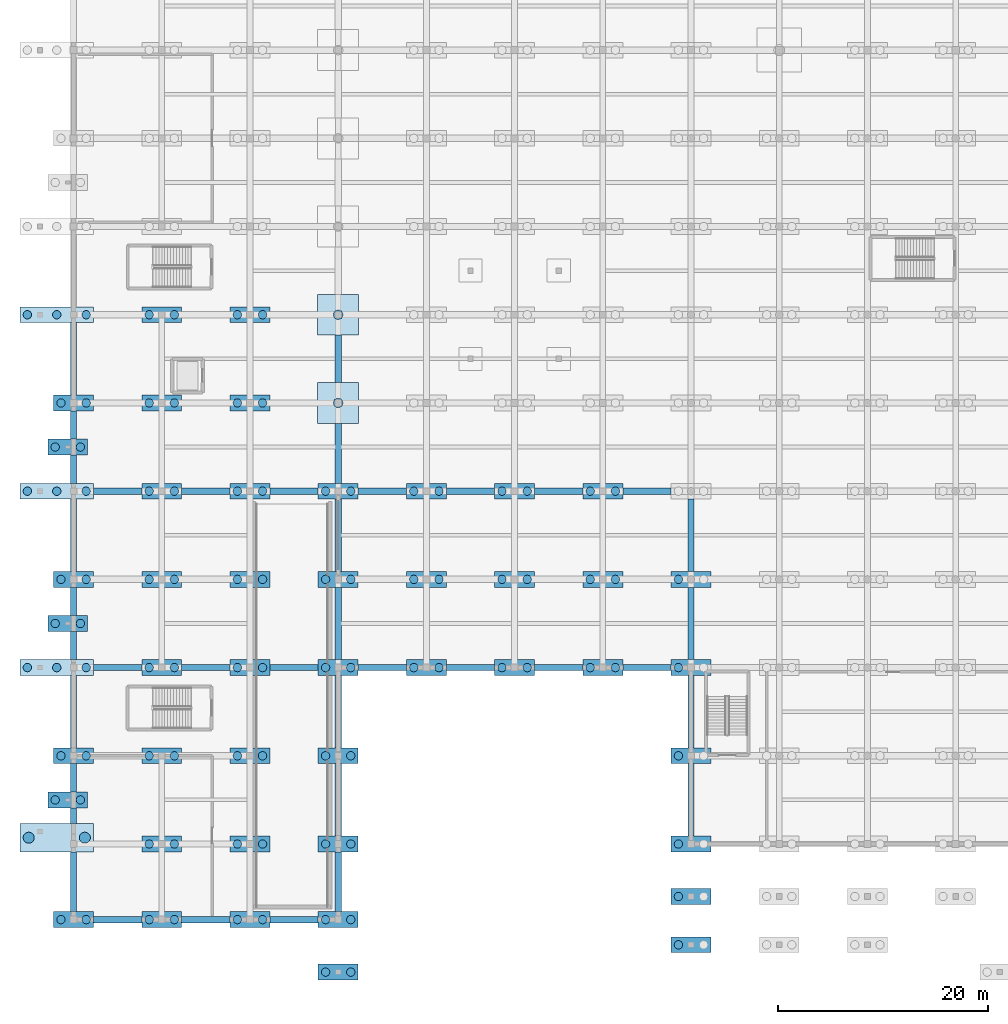
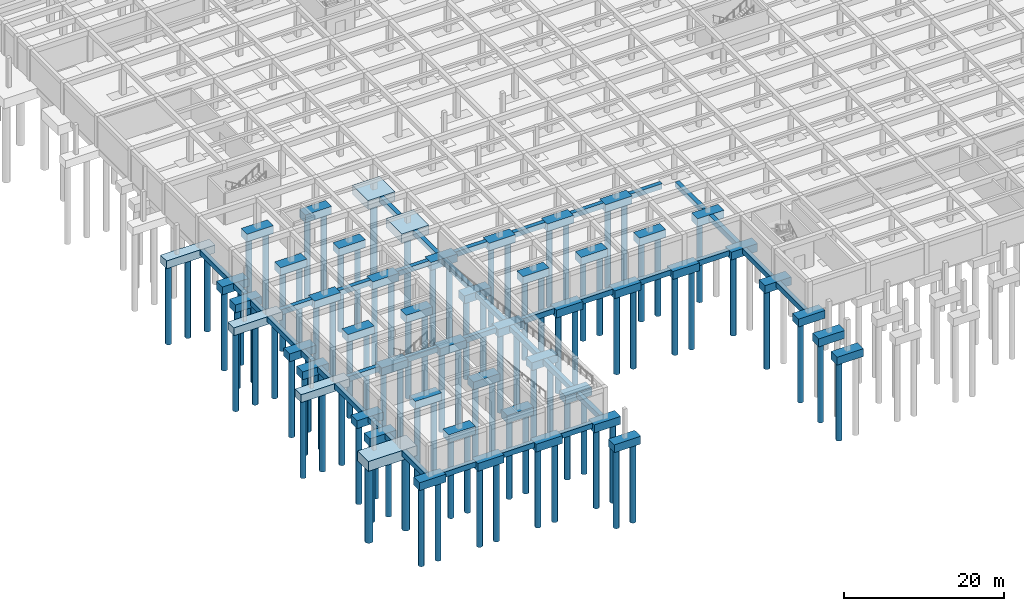
# One storey, part 1 of 51: 97 piles, 89 footings.
"""IFC4 building model written with IfcOpenShell, lengths in metres."""

from ifc_helpers import new_model, si_unit, direction, frame, origin, origin_2d, place, context, subcontext, project, spatial, rectangle, circle, extrude, material, material_profile, profile_set, type_object, element, save


model = new_model("IFC4")

# Units and contexts
model_context = context("Model", 3, precision=1e-05, world=origin(), true_north=direction((0.0, 1.0)))
body_context = subcontext(model_context, "Body", "Model", "MODEL_VIEW")
ifc_project = project(units=[si_unit("LENGTHUNIT", "METRE"), si_unit("AREAUNIT", "SQUARE_METRE"), si_unit("VOLUMEUNIT", "CUBIC_METRE"), si_unit("PLANEANGLEUNIT", "RADIAN"), si_unit("MASSUNIT", "GRAM", prefix="KILO")], contexts=[model_context])

# Site, building, storey
site_placement = place(None, origin())
site = spatial("IfcSite", under=ifc_project, at=site_placement, CompositionType="ELEMENT")
building_placement = place(site_placement, origin())
building = spatial("IfcBuilding", under=site, at=building_placement, Name="Varncliffe General Hospital", CompositionType="ELEMENT")
storey_placement = place(building_placement, frame((0.0, 0.0, -4.800048828125)))
storey = spatial("IfcBuildingStorey", under=building, at=storey_placement, Name="B1", CompositionType="ELEMENT", Elevation=-4.800048828125)

# Piles
ifc_material = material(Name="Concrete C40/50 (CSA A23.1 40 MPa)", Category="concrete")
ifc_material_profile_1 = material_profile(ifc_material, circle(Radius=0.39990234375, at=origin_2d()), Name="BORED PILE 800")
ifc_profile_set_1 = profile_set([ifc_material_profile_1], Name="Concrete C40/50 (CSA A23.1 40 MPa)")
pile_type_1 = type_object("IfcPileType", Name="Bored Caisson Pile P13 (BORED PILE 800)", PredefinedType="BORED", material=ifc_profile_set_1)
for number, where, z_axis, x_axis, name in (
    (1, (24.0, -5.0, -1.050048828125), (0.0, 0.0, -1.0), (1.0, 0.0, 0.0), "B1 Bored Pile P13 (PC-B1-001-1)"),
    (2, (26.39990234375, -5.0, -1.050048828125), (0.0, 0.0, -1.0), (1.0, 0.0, 0.0), "B1 Bored Pile P13 (PC-B1-001-2)"),
    (3, (57.60009765625, -2.39990234375, -1.050048828125), (0.0, 0.0, -1.0), (1.0, 0.0, 0.0), "B1 Bored Pile P13 (PC-B1-004-1)"),
    (4, (-1.199951171875, 0.0, -1.050048828125), (0.0, 0.0, -1.0), (1.0, 0.0, 0.0), "B1 Bored Pile P13 (PC-B1-014-1)"),
    (5, (1.199951171875, 0.0, -1.050048828125), (0.0, 0.0, -1.0), (1.0, 0.0, 0.0), "B1 Bored Pile P13 (PC-B1-014-2)"),
    (6, (7.199951171875, 0.0, -1.050048828125), (0.0, 0.0, -1.0), (1.0, 0.0, 0.0), "B1 Bored Pile P13 (PC-B1-015-1)"),
    (7, (9.60009765625, 0.0, -1.050048828125), (0.0, 0.0, -1.0), (1.0, 0.0, 0.0), "B1 Bored Pile P13 (PC-B1-015-2)"),
    (8, (15.60009765625, 0.0, -1.050048828125), (0.0, 0.0, -1.0), (1.0, 0.0, 0.0), "B1 Bored Pile P13 (PC-B1-016-1)"),
    (9, (18.0, 0.0, -1.050048828125), (0.0, 0.0, -1.0), (1.0, 0.0, 0.0), "B1 Bored Pile P13 (PC-B1-016-2)"),
    (10, (24.0, 0.0, -1.050048828125), (0.0, 0.0, -1.0), (1.0, 0.0, 0.0), "B1 Bored Pile P13 (PC-B1-017-1)"),
    (11, (26.39990234375, 0.0, -1.050048828125), (0.0, 0.0, -1.0), (1.0, 0.0, 0.0), "B1 Bored Pile P13 (PC-B1-017-2)"),
    (12, (57.60009765625, 2.199951171875, -1.050048828125), (0.0, 0.0, -1.0), (1.0, 0.0, 0.0), "B1 Bored Pile P13 (PC-B1-021-1)"),
    (13, (7.199951171875, 7.199951171875, -1.050048828125), (0.0, 0.0, -1.0), (1.0, 0.0, 0.0), "B1 Bored Pile P13 (PC-B1-031-1)"),
    (14, (9.60009765625, 7.199951171875, -1.050048828125), (0.0, 0.0, -1.0), (1.0, 0.0, 0.0), "B1 Bored Pile P13 (PC-B1-031-2)"),
    (15, (15.60009765625, 7.199951171875, -1.050048828125), (0.0, 0.0, -1.0), (1.0, 0.0, 0.0), "B1 Bored Pile P13 (PC-B1-032-1)"),
    (16, (18.0, 7.199951171875, -1.050048828125), (0.0, 0.0, -1.0), (1.0, 0.0, 0.0), "B1 Bored Pile P13 (PC-B1-032-2)"),
    (17, (24.0, 7.199951171875, -1.050048828125), (0.0, 0.0, -1.0), (1.0, 0.0, 0.0), "B1 Bored Pile P13 (PC-B1-033-1)"),
    (18, (26.39990234375, 7.199951171875, -1.050048828125), (0.0, 0.0, -1.0), (1.0, 0.0, 0.0), "B1 Bored Pile P13 (PC-B1-033-2)"),
    (19, (57.60009765625, 7.199951171875, -1.050048828125), (0.0, 0.0, -1.0), (1.0, 0.0, 0.0), "B1 Bored Pile P13 (PC-B1-034-1)"),
    (20, (-1.75, 11.39990234375, -1.050048828125), (0.0, 0.0, -1.0), (1.0, 0.0, 0.0), "B1 Bored Pile P13 (PC-B1-045-1)"),
    (21, (0.64990234375, 11.39990234375, -1.050048828125), (0.0, 0.0, -1.0), (1.0, 0.0, 0.0), "B1 Bored Pile P13 (PC-B1-045-2)"),
    (22, (-1.199951171875, 15.60009765625, -1.050048828125), (0.0, 0.0, -1.0), (1.0, 0.0, 0.0), "B1 Bored Pile P13 (PC-B1-048-1)"),
    (23, (1.199951171875, 15.60009765625, -1.050048828125), (0.0, 0.0, -1.0), (1.0, 0.0, 0.0), "B1 Bored Pile P13 (PC-B1-048-2)"),
    (24, (7.199951171875, 15.60009765625, -1.050048828125), (0.0, 0.0, -1.0), (1.0, 0.0, 0.0), "B1 Bored Pile P13 (PC-B1-049-1)"),
    (25, (9.60009765625, 15.60009765625, -1.050048828125), (0.0, 0.0, -1.0), (1.0, 0.0, 0.0), "B1 Bored Pile P13 (PC-B1-049-2)"),
    (26, (15.60009765625, 15.60009765625, -1.050048828125), (0.0, 0.0, -1.0), (1.0, 0.0, 0.0), "B1 Bored Pile P13 (PC-B1-050-1)"),
    (27, (18.0, 15.60009765625, -1.050048828125), (0.0, 0.0, -1.0), (1.0, 0.0, 0.0), "B1 Bored Pile P13 (PC-B1-050-2)"),
    (28, (24.0, 15.60009765625, -1.050048828125), (0.0, 0.0, -1.0), (1.0, 0.0, 0.0), "B1 Bored Pile P13 (PC-B1-051-1)"),
    (29, (26.39990234375, 15.60009765625, -1.050048828125), (0.0, 0.0, -1.0), (1.0, 0.0, 0.0), "B1 Bored Pile P13 (PC-B1-051-2)"),
    (30, (57.60009765625, 15.60009765625, -1.050048828125), (0.0, 0.0, -1.0), (1.0, 0.0, 0.0), "B1 Bored Pile P13 (PC-B1-052-1)"),
    (31, (-4.39990234375, 24.0, -1.050048828125), (0.0, 0.0, -1.0), (1.0, 0.0, 0.0), "B1 Bored Pile P13 (PC-B1-064-1)"),
    (32, (-1.60009765625, 24.0, -1.050048828125), (0.0, 0.0, -1.0), (1.0, 0.0, 0.0), "B1 Bored Pile P13 (PC-B1-064-2)"),
    (33, (1.199951171875, 24.0, -1.050048828125), (0.0, 0.0, -1.0), (1.0, 0.0, 0.0), "B1 Bored Pile P13 (PC-B1-064-3)"),
    (34, (7.199951171875, 24.0, -1.050048828125), (0.0, 0.0, -1.0), (1.0, 0.0, 0.0), "B1 Bored Pile P13 (PC-B1-065-1)"),
    (35, (9.60009765625, 24.0, -1.050048828125), (0.0, 0.0, -1.0), (1.0, 0.0, 0.0), "B1 Bored Pile P13 (PC-B1-065-2)"),
    (36, (15.60009765625, 24.0, -1.050048828125), (0.0, 0.0, -1.0), (1.0, 0.0, 0.0), "B1 Bored Pile P13 (PC-B1-066-1)"),
    (37, (18.0, 24.0, -1.050048828125), (0.0, 0.0, -1.0), (1.0, 0.0, 0.0), "B1 Bored Pile P13 (PC-B1-066-2)"),
    (38, (24.0, 24.0, -1.050048828125), (0.0, 0.0, -1.0), (1.0, 0.0, 0.0), "B1 Bored Pile P13 (PC-B1-067-1)"),
    (39, (26.39990234375, 24.0, -1.050048828125), (0.0, 0.0, -1.0), (1.0, 0.0, 0.0), "B1 Bored Pile P13 (PC-B1-067-2)"),
    (40, (32.39990234375, 24.0, -1.050048828125), (0.0, 0.0, -1.0), (1.0, 0.0, 0.0), "B1 Bored Pile P13 (PC-B1-068-1)"),
    (41, (34.800048828125, 24.0, -1.050048828125), (0.0, 0.0, -1.0), (1.0, 0.0, 0.0), "B1 Bored Pile P13 (PC-B1-068-2)"),
    (42, (40.800048828125, 24.0, -1.050048828125), (0.0, 0.0, -1.0), (1.0, 0.0, 0.0), "B1 Bored Pile P13 (PC-B1-069-1)"),
    (43, (43.199951171875, 24.0, -1.050048828125), (0.0, 0.0, -1.0), (1.0, 0.0, 0.0), "B1 Bored Pile P13 (PC-B1-069-2)"),
    (44, (49.199951171875, 24.0, -1.050048828125), (0.0, 0.0, -1.0), (1.0, 0.0, 0.0), "B1 Bored Pile P13 (PC-B1-070-1)"),
    (45, (51.60009765625, 24.0, -1.050048828125), (0.0, 0.0, -1.0), (1.0, 0.0, 0.0), "B1 Bored Pile P13 (PC-B1-070-2)"),
    (46, (57.60009765625, 24.0, -1.050048828125), (0.0, 0.0, -1.0), (1.0, 0.0, 0.0), "B1 Bored Pile P13 (PC-B1-071-1)"),
    (47, (-1.75, 28.199951171875, -1.050048828125), (0.0, 0.0, -1.0), (1.0, 0.0, 0.0), "B1 Bored Pile P13 (PC-B1-085-1)"),
    (48, (0.64990234375, 28.199951171875, -1.050048828125), (0.0, 0.0, -1.0), (1.0, 0.0, 0.0), "B1 Bored Pile P13 (PC-B1-085-2)"),
    (49, (-1.199951171875, 32.39990234375, -1.050048828125), (0.0, 0.0, -1.0), (1.0, 0.0, 0.0), "B1 Bored Pile P13 (PC-B1-088-1)"),
    (50, (1.199951171875, 32.39990234375, -1.050048828125), (0.0, 0.0, -1.0), (1.0, 0.0, 0.0), "B1 Bored Pile P13 (PC-B1-088-2)"),
    (51, (7.199951171875, 32.39990234375, -1.050048828125), (0.0, 0.0, -1.0), (1.0, 0.0, 0.0), "B1 Bored Pile P13 (PC-B1-089-1)"),
    (52, (9.60009765625, 32.39990234375, -1.050048828125), (0.0, 0.0, -1.0), (1.0, 0.0, 0.0), "B1 Bored Pile P13 (PC-B1-089-2)"),
    (53, (15.60009765625, 32.39990234375, -1.050048828125), (0.0, 0.0, -1.0), (1.0, 0.0, 0.0), "B1 Bored Pile P13 (PC-B1-090-1)"),
    (54, (18.0, 32.39990234375, -1.050048828125), (0.0, 0.0, -1.0), (1.0, 0.0, 0.0), "B1 Bored Pile P13 (PC-B1-090-2)"),
    (55, (24.0, 32.39990234375, -1.050048828125), (0.0, 0.0, -1.0), (1.0, 0.0, 0.0), "B1 Bored Pile P13 (PC-B1-091-1)"),
    (56, (26.39990234375, 32.39990234375, -1.050048828125), (0.0, 0.0, -1.0), (1.0, 0.0, 0.0), "B1 Bored Pile P13 (PC-B1-091-2)"),
    (57, (32.39990234375, 32.39990234375, -1.050048828125), (0.0, 0.0, -1.0), (1.0, 0.0, 0.0), "B1 Bored Pile P13 (PC-B1-092-1)"),
    (58, (34.800048828125, 32.39990234375, -1.050048828125), (0.0, 0.0, -1.0), (1.0, 0.0, 0.0), "B1 Bored Pile P13 (PC-B1-092-2)"),
    (59, (40.800048828125, 32.39990234375, -1.050048828125), (0.0, 0.0, -1.0), (1.0, 0.0, 0.0), "B1 Bored Pile P13 (PC-B1-093-1)"),
    (60, (43.199951171875, 32.39990234375, -1.050048828125), (0.0, 0.0, -1.0), (1.0, 0.0, 0.0), "B1 Bored Pile P13 (PC-B1-093-2)"),
    (61, (49.199951171875, 32.39990234375, -1.050048828125), (0.0, 0.0, -1.0), (1.0, 0.0, 0.0), "B1 Bored Pile P13 (PC-B1-094-1)"),
    (62, (51.60009765625, 32.39990234375, -1.050048828125), (0.0, 0.0, -1.0), (1.0, 0.0, 0.0), "B1 Bored Pile P13 (PC-B1-094-2)"),
    (63, (57.60009765625, 32.39990234375, -1.050048828125), (0.0, 0.0, -1.0), (1.0, 0.0, 0.0), "B1 Bored Pile P13 (PC-B1-095-1)"),
    (64, (-4.39990234375, 40.800048828125, -1.050048828125), (0.0, 0.0, -1.0), (1.0, 0.0, 0.0), "B1 Bored Pile P13 (PC-B1-110-1)"),
    (65, (-1.60009765625, 40.800048828125, -1.050048828125), (0.0, 0.0, -1.0), (1.0, 0.0, 0.0), "B1 Bored Pile P13 (PC-B1-110-2)"),
    (66, (1.199951171875, 40.800048828125, -1.050048828125), (0.0, 0.0, -1.0), (1.0, 0.0, 0.0), "B1 Bored Pile P13 (PC-B1-110-3)"),
    (67, (7.199951171875, 40.800048828125, -1.050048828125), (0.0, 0.0, -1.0), (1.0, 0.0, 0.0), "B1 Bored Pile P13 (PC-B1-111-1)"),
    (68, (9.60009765625, 40.800048828125, -1.050048828125), (0.0, 0.0, -1.0), (1.0, 0.0, 0.0), "B1 Bored Pile P13 (PC-B1-111-2)"),
    (69, (15.60009765625, 40.800048828125, -1.050048828125), (0.0, 0.0, -1.0), (1.0, 0.0, 0.0), "B1 Bored Pile P13 (PC-B1-112-1)"),
    (70, (18.0, 40.800048828125, -1.050048828125), (0.0, 0.0, -1.0), (1.0, 0.0, 0.0), "B1 Bored Pile P13 (PC-B1-112-2)"),
    (71, (24.0, 40.800048828125, -1.050048828125), (0.0, 0.0, -1.0), (1.0, 0.0, 0.0), "B1 Bored Pile P13 (PC-B1-113-1)"),
    (72, (26.39990234375, 40.800048828125, -1.050048828125), (0.0, 0.0, -1.0), (1.0, 0.0, 0.0), "B1 Bored Pile P13 (PC-B1-113-2)"),
    (73, (32.39990234375, 40.800048828125, -1.050048828125), (0.0, 0.0, -1.0), (1.0, 0.0, 0.0), "B1 Bored Pile P13 (PC-B1-114-1)"),
    (74, (34.800048828125, 40.800048828125, -1.050048828125), (0.0, 0.0, -1.0), (1.0, 0.0, 0.0), "B1 Bored Pile P13 (PC-B1-114-2)"),
    (75, (40.800048828125, 40.800048828125, -1.050048828125), (0.0, 0.0, -1.0), (1.0, 0.0, 0.0), "B1 Bored Pile P13 (PC-B1-115-1)"),
    (76, (43.199951171875, 40.800048828125, -1.050048828125), (0.0, 0.0, -1.0), (1.0, 0.0, 0.0), "B1 Bored Pile P13 (PC-B1-115-2)"),
    (77, (49.199951171875, 40.800048828125, -1.050048828125), (0.0, 0.0, -1.0), (1.0, 0.0, 0.0), "B1 Bored Pile P13 (PC-B1-116-1)"),
    (78, (51.60009765625, 40.800048828125, -1.050048828125), (0.0, 0.0, -1.0), (1.0, 0.0, 0.0), "B1 Bored Pile P13 (PC-B1-116-2)"),
    (79, (-1.75, 45.0, -1.050048828125), (0.0, 0.0, -1.0), (1.0, 0.0, 0.0), "B1 Bored Pile P13 (PC-B1-131-1)"),
    (80, (0.64990234375, 45.0, -1.050048828125), (0.0, 0.0, -1.0), (1.0, 0.0, 0.0), "B1 Bored Pile P13 (PC-B1-131-2)"),
    (81, (-1.199951171875, 49.199951171875, -1.050048828125), (0.0, 0.0, -1.0), (1.0, 0.0, 0.0), "B1 Bored Pile P13 (PC-B1-135-1)"),
    (82, (1.199951171875, 49.199951171875, -1.050048828125), (0.0, 0.0, -1.0), (1.0, 0.0, 0.0), "B1 Bored Pile P13 (PC-B1-135-2)"),
    (83, (7.199951171875, 49.199951171875, -1.050048828125), (0.0, 0.0, -1.0), (1.0, 0.0, 0.0), "B1 Bored Pile P13 (PC-B1-136-1)"),
    (84, (9.60009765625, 49.199951171875, -1.050048828125), (0.0, 0.0, -1.0), (1.0, 0.0, 0.0), "B1 Bored Pile P13 (PC-B1-136-2)"),
    (85, (15.60009765625, 49.199951171875, -1.050048828125), (0.0, 0.0, -1.0), (1.0, 0.0, 0.0), "B1 Bored Pile P13 (PC-B1-137-1)"),
    (86, (18.0, 49.199951171875, -1.050048828125), (0.0, 0.0, -1.0), (1.0, 0.0, 0.0), "B1 Bored Pile P13 (PC-B1-137-2)"),
    (87, (-4.39990234375, 57.60009765625, -1.050048828125), (0.0, 0.0, -1.0), (1.0, 0.0, 0.0), "B1 Bored Pile P13 (PC-B1-157-1)"),
    (88, (-1.60009765625, 57.60009765625, -1.050048828125), (0.0, 0.0, -1.0), (1.0, 0.0, 0.0), "B1 Bored Pile P13 (PC-B1-157-2)"),
    (89, (1.199951171875, 57.60009765625, -1.050048828125), (0.0, 0.0, -1.0), (1.0, 0.0, 0.0), "B1 Bored Pile P13 (PC-B1-157-3)"),
    (90, (7.199951171875, 57.60009765625, -1.050048828125), (0.0, 0.0, -1.0), (1.0, 0.0, 0.0), "B1 Bored Pile P13 (PC-B1-158-1)"),
    (91, (9.60009765625, 57.60009765625, -1.050048828125), (0.0, 0.0, -1.0), (1.0, 0.0, 0.0), "B1 Bored Pile P13 (PC-B1-158-2)"),
    (92, (15.60009765625, 57.60009765625, -1.050048828125), (0.0, 0.0, -1.0), (1.0, 0.0, 0.0), "B1 Bored Pile P13 (PC-B1-159-1)"),
    (93, (18.0, 57.60009765625, -1.050048828125), (0.0, 0.0, -1.0), (1.0, 0.0, 0.0), "B1 Bored Pile P13 (PC-B1-159-2)"),
):
    element("IfcPile", number, at=place(storey_placement, frame(where, z_axis=z_axis, x_axis=x_axis)), inside=storey, type_object=pile_type_1, Name=name, PredefinedType="BORED", context=body_context, shape_type="SweptSolid", body=[
        extrude(circle(Radius=0.39990234375, at=origin_2d()), origin(), (0.0, 0.0, 1.0), 12.14990234375),
    ])
ifc_material_profile_2 = material_profile(ifc_material, circle(Radius=0.449951171875, at=origin_2d()), Name="BORED PILE 900")
ifc_profile_set_2 = profile_set([ifc_material_profile_2], Name="Concrete C40/50 (CSA A23.1 40 MPa)")
pile_type_2 = type_object("IfcPileType", Name="Bored Caisson Pile P20 (BORED PILE 900)", PredefinedType="BORED", material=ifc_profile_set_2)
for number, where, z_axis, x_axis, name in (
    (94, (25.199951171875, 49.199951171875, -1.199951171875), (0.0, 0.0, -1.0), (1.0, 0.0, 0.0), "B1 Bored Pile P20 (PC-B1-133-1)"),
    (95, (25.199951171875, 57.60009765625, -1.199951171875), (0.0, 0.0, -1.0), (1.0, 0.0, 0.0), "B1 Bored Pile P20 (PC-B1-155-1)"),
):
    element("IfcPile", number, at=place(storey_placement, frame(where, z_axis=z_axis, x_axis=x_axis)), inside=storey, type_object=pile_type_2, Name=name, PredefinedType="BORED", context=body_context, shape_type="SweptSolid", body=[
        extrude(circle(Radius=0.449951171875, at=origin_2d()), origin(), (0.0, 0.0, 1.0), 12.0),
    ])
ifc_material_profile_3 = material_profile(ifc_material, circle(Radius=0.52490234375, at=origin_2d()), Name="BORED PILE 1050")
ifc_profile_set_3 = profile_set([ifc_material_profile_3], Name="Concrete C40/50 (CSA A23.1 40 MPa)")
pile_type_3 = type_object("IfcPileType", Name="Bored Caisson Pile P22 (BORED PILE 1050)", PredefinedType="BORED", material=ifc_profile_set_3)
for number, where, z_axis, x_axis, name in (
    (96, (-4.27490234375, 7.800048828125, -1.349853515625), (0.0, 0.0, -1.0), (1.0, 0.0, 0.0), "B1 Bored Pile P22 (PC-B1-030-1)"),
    (97, (1.074951171875, 7.800048828125, -1.349853515625), (0.0, 0.0, -1.0), (1.0, 0.0, 0.0), "B1 Bored Pile P22 (PC-B1-030-2)"),
):
    element("IfcPile", number, at=place(storey_placement, frame(where, z_axis=z_axis, x_axis=x_axis)), inside=storey, type_object=pile_type_3, Name=name, PredefinedType="BORED", context=body_context, shape_type="SweptSolid", body=[
        extrude(circle(Radius=0.52490234375, at=origin_2d()), origin(), (0.0, 0.0, 1.0), 11.85009765625),
    ])

# Footings
footing_type_1 = type_object("IfcFootingType", Name="Pile Cap PC17 (3800x1500x1200)", PredefinedType="PILE_CAP", material=ifc_material)
for number, where, z_axis, x_axis, name in (
    (98, (25.199951171875, -5.0, -1.19970703125), (0.0, 0.0, 1.0), (1.0, 0.0, 0.0), "B1 Pile Cap PC17 #1"),
    (99, (58.800048828125, -2.39990234375, -1.19970703125), (0.0, 0.0, 1.0), (1.0, 0.0, 0.0), "B1 Pile Cap PC17 #4"),
    (100, (0.0, 0.0, -1.19970703125), (0.0, 0.0, 1.0), (1.0, 0.0, 0.0), "B1 Pile Cap PC17 #14"),
    (101, (8.39990234375, 0.0, -1.19970703125), (0.0, 0.0, 1.0), (1.0, 0.0, 0.0), "B1 Pile Cap PC17 #15"),
    (102, (16.800048828125, 0.0, -1.19970703125), (0.0, 0.0, 1.0), (1.0, 0.0, 0.0), "B1 Pile Cap PC17 #16"),
    (103, (25.199951171875, 0.0, -1.19970703125), (0.0, 0.0, 1.0), (1.0, 0.0, 0.0), "B1 Pile Cap PC17 #17"),
    (104, (58.800048828125, 2.199951171875, -1.19970703125), (0.0, 0.0, 1.0), (1.0, 0.0, 0.0), "B1 Pile Cap PC17 #21"),
    (105, (8.39990234375, 7.199951171875, -1.19970703125), (0.0, 0.0, 1.0), (1.0, 0.0, 0.0), "B1 Pile Cap PC17 #31"),
    (106, (16.800048828125, 7.199951171875, -1.19970703125), (0.0, 0.0, 1.0), (1.0, 0.0, 0.0), "B1 Pile Cap PC17 #32"),
    (107, (25.199951171875, 7.199951171875, -1.19970703125), (0.0, 0.0, 1.0), (1.0, 0.0, 0.0), "B1 Pile Cap PC17 #33"),
    (108, (58.800048828125, 7.199951171875, -1.19970703125), (0.0, 0.0, 1.0), (1.0, 0.0, 0.0), "B1 Pile Cap PC17 #34"),
    (109, (-0.550048828125, 11.39990234375, -1.19970703125), (0.0, 0.0, 1.0), (1.0, 0.0, 0.0), "B1 Pile Cap PC17 #45"),
    (110, (0.0, 15.60009765625, -1.19970703125), (0.0, 0.0, 1.0), (1.0, 0.0, 0.0), "B1 Pile Cap PC17 #48"),
    (111, (8.39990234375, 15.60009765625, -1.19970703125), (0.0, 0.0, 1.0), (1.0, 0.0, 0.0), "B1 Pile Cap PC17 #49"),
    (112, (16.800048828125, 15.60009765625, -1.19970703125), (0.0, 0.0, 1.0), (1.0, 0.0, 0.0), "B1 Pile Cap PC17 #50"),
    (113, (25.199951171875, 15.60009765625, -1.19970703125), (0.0, 0.0, 1.0), (1.0, 0.0, 0.0), "B1 Pile Cap PC17 #51"),
    (114, (58.800048828125, 15.60009765625, -1.19970703125), (0.0, 0.0, 1.0), (1.0, 0.0, 0.0), "B1 Pile Cap PC17 #52"),
    (115, (8.39990234375, 24.0, -1.19970703125), (0.0, 0.0, 1.0), (1.0, 0.0, 0.0), "B1 Pile Cap PC17 #65"),
    (116, (16.800048828125, 24.0, -1.19970703125), (0.0, 0.0, 1.0), (1.0, 0.0, 0.0), "B1 Pile Cap PC17 #66"),
    (117, (25.199951171875, 24.0, -1.19970703125), (0.0, 0.0, 1.0), (1.0, 0.0, 0.0), "B1 Pile Cap PC17 #67"),
    (118, (33.60009765625, 24.0, -1.19970703125), (0.0, 0.0, 1.0), (1.0, 0.0, 0.0), "B1 Pile Cap PC17 #68"),
    (119, (42.0, 24.0, -1.19970703125), (0.0, 0.0, 1.0), (1.0, 0.0, 0.0), "B1 Pile Cap PC17 #69"),
    (120, (50.39990234375, 24.0, -1.19970703125), (0.0, 0.0, 1.0), (1.0, 0.0, 0.0), "B1 Pile Cap PC17 #70"),
    (121, (58.800048828125, 24.0, -1.19970703125), (0.0, 0.0, 1.0), (1.0, 0.0, 0.0), "B1 Pile Cap PC17 #71"),
    (122, (-0.550048828125, 28.199951171875, -1.19970703125), (0.0, 0.0, 1.0), (1.0, 0.0, 0.0), "B1 Pile Cap PC17 #85"),
    (123, (0.0, 32.39990234375, -1.19970703125), (0.0, 0.0, 1.0), (1.0, 0.0, 0.0), "B1 Pile Cap PC17 #88"),
    (124, (8.39990234375, 32.39990234375, -1.19970703125), (0.0, 0.0, 1.0), (1.0, 0.0, 0.0), "B1 Pile Cap PC17 #89"),
    (125, (16.800048828125, 32.39990234375, -1.19970703125), (0.0, 0.0, 1.0), (1.0, 0.0, 0.0), "B1 Pile Cap PC17 #90"),
    (126, (25.199951171875, 32.39990234375, -1.19970703125), (0.0, 0.0, 1.0), (1.0, 0.0, 0.0), "B1 Pile Cap PC17 #91"),
    (127, (33.60009765625, 32.39990234375, -1.19970703125), (0.0, 0.0, 1.0), (1.0, 0.0, 0.0), "B1 Pile Cap PC17 #92"),
    (128, (42.0, 32.39990234375, -1.19970703125), (0.0, 0.0, 1.0), (1.0, 0.0, 0.0), "B1 Pile Cap PC17 #93"),
    (129, (50.39990234375, 32.39990234375, -1.19970703125), (0.0, 0.0, 1.0), (1.0, 0.0, 0.0), "B1 Pile Cap PC17 #94"),
    (130, (58.800048828125, 32.39990234375, -1.19970703125), (0.0, 0.0, 1.0), (1.0, 0.0, 0.0), "B1 Pile Cap PC17 #95"),
    (131, (8.39990234375, 40.800048828125, -1.19970703125), (0.0, 0.0, 1.0), (1.0, 0.0, 0.0), "B1 Pile Cap PC17 #111"),
    (132, (16.800048828125, 40.800048828125, -1.19970703125), (0.0, 0.0, 1.0), (1.0, 0.0, 0.0), "B1 Pile Cap PC17 #112"),
    (133, (25.199951171875, 40.800048828125, -1.19970703125), (0.0, 0.0, 1.0), (1.0, 0.0, 0.0), "B1 Pile Cap PC17 #113"),
    (134, (33.60009765625, 40.800048828125, -1.19970703125), (0.0, 0.0, 1.0), (1.0, 0.0, 0.0), "B1 Pile Cap PC17 #114"),
    (135, (42.0, 40.800048828125, -1.19970703125), (0.0, 0.0, 1.0), (1.0, 0.0, 0.0), "B1 Pile Cap PC17 #115"),
    (136, (50.39990234375, 40.800048828125, -1.19970703125), (0.0, 0.0, 1.0), (1.0, 0.0, 0.0), "B1 Pile Cap PC17 #116"),
    (137, (-0.550048828125, 45.0, -1.19970703125), (0.0, 0.0, 1.0), (1.0, 0.0, 0.0), "B1 Pile Cap PC17 #131"),
    (138, (0.0, 49.199951171875, -1.19970703125), (0.0, 0.0, 1.0), (1.0, 0.0, 0.0), "B1 Pile Cap PC17 #135"),
    (139, (8.39990234375, 49.199951171875, -1.19970703125), (0.0, 0.0, 1.0), (1.0, 0.0, 0.0), "B1 Pile Cap PC17 #136"),
    (140, (16.800048828125, 49.199951171875, -1.19970703125), (0.0, 0.0, 1.0), (1.0, 0.0, 0.0), "B1 Pile Cap PC17 #137"),
    (141, (8.39990234375, 57.60009765625, -1.19970703125), (0.0, 0.0, 1.0), (1.0, 0.0, 0.0), "B1 Pile Cap PC17 #158"),
    (142, (16.800048828125, 57.60009765625, -1.19970703125), (0.0, 0.0, 1.0), (1.0, 0.0, 0.0), "B1 Pile Cap PC17 #159"),
):
    element("IfcFooting", number, at=place(storey_placement, frame(where, z_axis=z_axis, x_axis=x_axis)), inside=storey, type_object=footing_type_1, Name=name, PredefinedType="PILE_CAP", context=body_context, shape_type="SweptSolid", body=[
        extrude(rectangle(XDim=3.800048828125, YDim=1.5, at=origin_2d()), origin(), (0.0, 0.0, 1.0), 1.199951171875),
    ])
footing_type_2 = type_object("IfcFootingType", Name="Pile Cap PC47 (7000x2700x1500)", PredefinedType="PILE_CAP", material=ifc_material)
footing_1_placement = place(storey_placement, frame((-1.60009765625, 7.800048828125, -1.5), z_axis=(0.0, 0.0, 1.0), x_axis=(1.0, 0.0, 0.0)))
element("IfcFooting", 143, at=footing_1_placement, inside=storey, type_object=footing_type_2, Name="B1 Pile Cap PC47 #30", PredefinedType="PILE_CAP", context=body_context, shape_type="SweptSolid", body=[
    extrude(rectangle(XDim=7.0, YDim=2.699951171875, at=origin_2d()), origin(), (0.0, 0.0, 1.0), 1.5),
])
footing_type_3 = type_object("IfcFootingType", Name="Pile Cap PC59 (3900x3900x1350)", PredefinedType="PILE_CAP", material=ifc_material)
for number, where, z_axis, x_axis, name in (
    (144, (25.199951171875, 49.199951171875, -1.35009765625), (0.0, 0.0, 1.0), (1.0, 0.0, 0.0), "B1 Pile Cap PC59 #133"),
    (145, (25.199951171875, 57.60009765625, -1.35009765625), (0.0, 0.0, 1.0), (1.0, 0.0, 0.0), "B1 Pile Cap PC59 #155"),
):
    element("IfcFooting", number, at=place(storey_placement, frame(where, z_axis=z_axis, x_axis=x_axis)), inside=storey, type_object=footing_type_3, Name=name, PredefinedType="PILE_CAP", context=body_context, shape_type="SweptSolid", body=[
        extrude(rectangle(XDim=3.89990234375, YDim=3.89990234375, at=origin_2d()), origin(), (0.0, 0.0, 1.0), 1.35009765625),
    ])
footing_type_4 = type_object("IfcFootingType", Name="Pile Cap PC66 (7000x1500x1200)", PredefinedType="PILE_CAP", material=ifc_material)
for number, where, z_axis, x_axis, name in (
    (146, (-1.60009765625, 24.0, -1.19970703125), (0.0, 0.0, 1.0), (1.0, 0.0, 0.0), "B1 Pile Cap PC66 #64"),
    (147, (-1.60009765625, 40.800048828125, -1.19970703125), (0.0, 0.0, 1.0), (1.0, 0.0, 0.0), "B1 Pile Cap PC66 #110"),
    (148, (-1.60009765625, 57.60009765625, -1.19970703125), (0.0, 0.0, 1.0), (1.0, 0.0, 0.0), "B1 Pile Cap PC66 #157"),
):
    element("IfcFooting", number, at=place(storey_placement, frame(where, z_axis=z_axis, x_axis=x_axis)), inside=storey, type_object=footing_type_4, Name=name, PredefinedType="PILE_CAP", context=body_context, shape_type="SweptSolid", body=[
        extrude(rectangle(XDim=7.0, YDim=1.5, at=origin_2d()), origin(), (0.0, 0.0, 1.0), 1.199951171875),
    ])
footing_type_5 = type_object("IfcFootingType", Name="Seismic Grade Tie Beam FB69 (600x800)", PredefinedType="FOOTING_BEAM", material=ifc_material)
for number, where, z_axis, x_axis, name in (
    (149, (4.199951171875, 0.0, -0.7998046875), (0.0, 0.0, 1.0), (1.0, 0.0, 0.0), "B1 Seismic Footing Tie Beam FB69-1"),
    (150, (12.60009765625, 0.0, -0.7998046875), (0.0, 0.0, 1.0), (1.0, 0.0, 0.0), "B1 Seismic Footing Tie Beam FB69-2"),
    (151, (21.0, 0.0, -0.7998046875), (0.0, 0.0, 1.0), (1.0, 0.0, 0.0), "B1 Seismic Footing Tie Beam FB69-3"),
    (152, (4.199951171875, 24.0, -0.7998046875), (0.0, 0.0, 1.0), (1.0, 0.0, 0.0), "B1 Seismic Footing Tie Beam FB69-10"),
    (153, (12.60009765625, 24.0, -0.7998046875), (0.0, 0.0, 1.0), (1.0, 0.0, 0.0), "B1 Seismic Footing Tie Beam FB69-11"),
    (154, (21.0, 24.0, -0.7998046875), (0.0, 0.0, 1.0), (1.0, 0.0, 0.0), "B1 Seismic Footing Tie Beam FB69-12"),
    (155, (29.39990234375, 24.0, -0.7998046875), (0.0, 0.0, 1.0), (1.0, 0.0, 0.0), "B1 Seismic Footing Tie Beam FB69-13"),
    (156, (37.800048828125, 24.0, -0.7998046875), (0.0, 0.0, 1.0), (1.0, 0.0, 0.0), "B1 Seismic Footing Tie Beam FB69-14"),
    (157, (46.199951171875, 24.0, -0.7998046875), (0.0, 0.0, 1.0), (1.0, 0.0, 0.0), "B1 Seismic Footing Tie Beam FB69-15"),
    (158, (54.60009765625, 24.0, -0.7998046875), (0.0, 0.0, 1.0), (1.0, 0.0, 0.0), "B1 Seismic Footing Tie Beam FB69-16"),
    (159, (4.199951171875, 40.800048828125, -0.7998046875), (0.0, 0.0, 1.0), (1.0, 0.0, 0.0), "B1 Seismic Footing Tie Beam FB69-31"),
    (160, (12.60009765625, 40.800048828125, -0.7998046875), (0.0, 0.0, 1.0), (1.0, 0.0, 0.0), "B1 Seismic Footing Tie Beam FB69-32"),
    (161, (21.0, 40.800048828125, -0.7998046875), (0.0, 0.0, 1.0), (1.0, 0.0, 0.0), "B1 Seismic Footing Tie Beam FB69-33"),
    (162, (29.39990234375, 40.800048828125, -0.7998046875), (0.0, 0.0, 1.0), (1.0, 0.0, 0.0), "B1 Seismic Footing Tie Beam FB69-34"),
    (163, (37.800048828125, 40.800048828125, -0.7998046875), (0.0, 0.0, 1.0), (1.0, 0.0, 0.0), "B1 Seismic Footing Tie Beam FB69-35"),
    (164, (46.199951171875, 40.800048828125, -0.7998046875), (0.0, 0.0, 1.0), (1.0, 0.0, 0.0), "B1 Seismic Footing Tie Beam FB69-36"),
    (165, (54.60009765625, 40.800048828125, -0.7998046875), (0.0, 0.0, 1.0), (1.0, 0.0, 0.0), "B1 Seismic Footing Tie Beam FB69-37"),
):
    element("IfcFooting", number, at=place(storey_placement, frame(where, z_axis=z_axis, x_axis=x_axis)), inside=storey, type_object=footing_type_5, Name=name, PredefinedType="FOOTING_BEAM", context=body_context, shape_type="SweptSolid", body=[
        extrude(rectangle(XDim=4.60009765625, YDim=0.60009765625, at=origin_2d()), origin(), (0.0, 0.0, 1.0), 0.800048828125),
    ])
footing_2_placement = place(storey_placement, frame((0.0, 3.60009765625, -0.7998046875), z_axis=(0.0, 0.0, 1.0), x_axis=(1.0, 0.0, 0.0)))
element("IfcFooting", 166, at=footing_2_placement, inside=storey, type_object=footing_type_5, Name="B1 Seismic Footing Tie Beam FB69-104", PredefinedType="FOOTING_BEAM", context=body_context, shape_type="SweptSolid", body=[
    extrude(rectangle(XDim=0.60009765625, YDim=5.699951171875, at=origin_2d()), origin(), (0.0, 0.0, 1.0), 0.800048828125),
])
footing_3_placement = place(storey_placement, frame((0.0, 9.89990234375, -0.7998046875), z_axis=(0.0, 0.0, 1.0), x_axis=(1.0, 0.0, 0.0)))
element("IfcFooting", 167, at=footing_3_placement, inside=storey, type_object=footing_type_5, Name="B1 Seismic Footing Tie Beam FB69-105", PredefinedType="FOOTING_BEAM", context=body_context, shape_type="SweptSolid", body=[
    extrude(rectangle(XDim=0.60009765625, YDim=1.5, at=origin_2d()), origin(), (0.0, 0.0, 1.0), 0.800048828125),
])
footing_4_placement = place(storey_placement, frame((0.0, 13.5, -0.7998046875), z_axis=(0.0, 0.0, 1.0), x_axis=(1.0, 0.0, 0.0)))
element("IfcFooting", 168, at=footing_4_placement, inside=storey, type_object=footing_type_5, Name="B1 Seismic Footing Tie Beam FB69-106", PredefinedType="FOOTING_BEAM", context=body_context, shape_type="SweptSolid", body=[
    extrude(rectangle(XDim=0.60009765625, YDim=2.699951171875, at=origin_2d()), origin(), (0.0, 0.0, 1.0), 0.800048828125),
])
footing_5_placement = place(storey_placement, frame((0.0, 19.800048828125, -0.7998046875), z_axis=(0.0, 0.0, 1.0), x_axis=(1.0, 0.0, 0.0)))
element("IfcFooting", 169, at=footing_5_placement, inside=storey, type_object=footing_type_5, Name="B1 Seismic Footing Tie Beam FB69-107", PredefinedType="FOOTING_BEAM", context=body_context, shape_type="SweptSolid", body=[
    extrude(rectangle(XDim=0.60009765625, YDim=6.89990234375, at=origin_2d()), origin(), (0.0, 0.0, 1.0), 0.800048828125),
])
for number, where, z_axis, x_axis, name in (
    (170, (0.0, 26.10009765625, -0.7998046875), (0.0, 0.0, 1.0), (1.0, 0.0, 0.0), "B1 Seismic Footing Tie Beam FB69-108"),
    (171, (0.0, 30.300048828125, -0.7998046875), (0.0, 0.0, 1.0), (1.0, 0.0, 0.0), "B1 Seismic Footing Tie Beam FB69-109"),
):
    element("IfcFooting", number, at=place(storey_placement, frame(where, z_axis=z_axis, x_axis=x_axis)), inside=storey, type_object=footing_type_5, Name=name, PredefinedType="FOOTING_BEAM", context=body_context, shape_type="SweptSolid", body=[
        extrude(rectangle(XDim=0.60009765625, YDim=2.699951171875, at=origin_2d()), origin(), (0.0, 0.0, 1.0), 0.800048828125),
    ])
footing_6_placement = place(storey_placement, frame((0.0, 36.60009765625, -0.7998046875), z_axis=(0.0, 0.0, 1.0), x_axis=(1.0, 0.0, 0.0)))
element("IfcFooting", 172, at=footing_6_placement, inside=storey, type_object=footing_type_5, Name="B1 Seismic Footing Tie Beam FB69-110", PredefinedType="FOOTING_BEAM", context=body_context, shape_type="SweptSolid", body=[
    extrude(rectangle(XDim=0.60009765625, YDim=6.89990234375, at=origin_2d()), origin(), (0.0, 0.0, 1.0), 0.800048828125),
])
for number, where, z_axis, x_axis, name in (
    (173, (0.0, 42.89990234375, -0.7998046875), (0.0, 0.0, 1.0), (1.0, 0.0, 0.0), "B1 Seismic Footing Tie Beam FB69-111"),
    (174, (0.0, 47.10009765625, -0.7998046875), (0.0, 0.0, 1.0), (1.0, 0.0, 0.0), "B1 Seismic Footing Tie Beam FB69-112"),
):
    element("IfcFooting", number, at=place(storey_placement, frame(where, z_axis=z_axis, x_axis=x_axis)), inside=storey, type_object=footing_type_5, Name=name, PredefinedType="FOOTING_BEAM", context=body_context, shape_type="SweptSolid", body=[
        extrude(rectangle(XDim=0.60009765625, YDim=2.699951171875, at=origin_2d()), origin(), (0.0, 0.0, 1.0), 0.800048828125),
    ])
footing_7_placement = place(storey_placement, frame((0.0, 53.39990234375, -0.7998046875), z_axis=(0.0, 0.0, 1.0), x_axis=(1.0, 0.0, 0.0)))
element("IfcFooting", 175, at=footing_7_placement, inside=storey, type_object=footing_type_5, Name="B1 Seismic Footing Tie Beam FB69-113", PredefinedType="FOOTING_BEAM", context=body_context, shape_type="SweptSolid", body=[
    extrude(rectangle(XDim=0.60009765625, YDim=6.89990234375, at=origin_2d()), origin(), (0.0, 0.0, 1.0), 0.800048828125),
])
footing_8_placement = place(storey_placement, frame((25.199951171875, 3.60009765625, -0.7998046875), z_axis=(0.0, 0.0, 1.0), x_axis=(1.0, 0.0, 0.0)))
element("IfcFooting", 176, at=footing_8_placement, inside=storey, type_object=footing_type_5, Name="B1 Seismic Footing Tie Beam FB69-122", PredefinedType="FOOTING_BEAM", context=body_context, shape_type="SweptSolid", body=[
    extrude(rectangle(XDim=0.60009765625, YDim=5.699951171875, at=origin_2d()), origin(), (0.0, 0.0, 1.0), 0.800048828125),
])
for number, where, z_axis, x_axis, name in (
    (177, (25.199951171875, 11.39990234375, -0.7998046875), (0.0, 0.0, 1.0), (1.0, 0.0, 0.0), "B1 Seismic Footing Tie Beam FB69-123"),
    (178, (25.199951171875, 19.800048828125, -0.7998046875), (0.0, 0.0, 1.0), (1.0, 0.0, 0.0), "B1 Seismic Footing Tie Beam FB69-124"),
    (179, (25.199951171875, 28.199951171875, -0.7998046875), (0.0, 0.0, 1.0), (1.0, 0.0, 0.0), "B1 Seismic Footing Tie Beam FB69-125"),
    (180, (25.199951171875, 36.60009765625, -0.7998046875), (0.0, 0.0, 1.0), (1.0, 0.0, 0.0), "B1 Seismic Footing Tie Beam FB69-126"),
):
    element("IfcFooting", number, at=place(storey_placement, frame(where, z_axis=z_axis, x_axis=x_axis)), inside=storey, type_object=footing_type_5, Name=name, PredefinedType="FOOTING_BEAM", context=body_context, shape_type="SweptSolid", body=[
        extrude(rectangle(XDim=0.60009765625, YDim=6.89990234375, at=origin_2d()), origin(), (0.0, 0.0, 1.0), 0.800048828125),
    ])
footing_9_placement = place(storey_placement, frame((25.199951171875, 44.39990234375, -0.7998046875), z_axis=(0.0, 0.0, 1.0), x_axis=(1.0, 0.0, 0.0)))
element("IfcFooting", 181, at=footing_9_placement, inside=storey, type_object=footing_type_5, Name="B1 Seismic Footing Tie Beam FB69-127", PredefinedType="FOOTING_BEAM", context=body_context, shape_type="SweptSolid", body=[
    extrude(rectangle(XDim=0.60009765625, YDim=5.699951171875, at=origin_2d()), origin(), (0.0, 0.0, 1.0), 0.800048828125),
])
footing_10_placement = place(storey_placement, frame((25.199951171875, 53.39990234375, -0.7998046875), z_axis=(0.0, 0.0, 1.0), x_axis=(1.0, 0.0, 0.0)))
element("IfcFooting", 182, at=footing_10_placement, inside=storey, type_object=footing_type_5, Name="B1 Seismic Footing Tie Beam FB69-128", PredefinedType="FOOTING_BEAM", context=body_context, shape_type="SweptSolid", body=[
    extrude(rectangle(XDim=0.60009765625, YDim=4.5, at=origin_2d()), origin(), (0.0, 0.0, 1.0), 0.800048828125),
])
for number, where, z_axis, x_axis, name in (
    (183, (58.800048828125, 11.39990234375, -0.7998046875), (0.0, 0.0, 1.0), (1.0, 0.0, 0.0), "B1 Seismic Footing Tie Beam FB69-136"),
    (184, (58.800048828125, 19.800048828125, -0.7998046875), (0.0, 0.0, 1.0), (1.0, 0.0, 0.0), "B1 Seismic Footing Tie Beam FB69-137"),
    (185, (58.800048828125, 28.199951171875, -0.7998046875), (0.0, 0.0, 1.0), (1.0, 0.0, 0.0), "B1 Seismic Footing Tie Beam FB69-138"),
    (186, (58.800048828125, 36.60009765625, -0.7998046875), (0.0, 0.0, 1.0), (1.0, 0.0, 0.0), "B1 Seismic Footing Tie Beam FB69-139"),
):
    element("IfcFooting", number, at=place(storey_placement, frame(where, z_axis=z_axis, x_axis=x_axis)), inside=storey, type_object=footing_type_5, Name=name, PredefinedType="FOOTING_BEAM", context=body_context, shape_type="SweptSolid", body=[
        extrude(rectangle(XDim=0.60009765625, YDim=6.89990234375, at=origin_2d()), origin(), (0.0, 0.0, 1.0), 0.800048828125),
    ])

save(model, "model.ifc")
